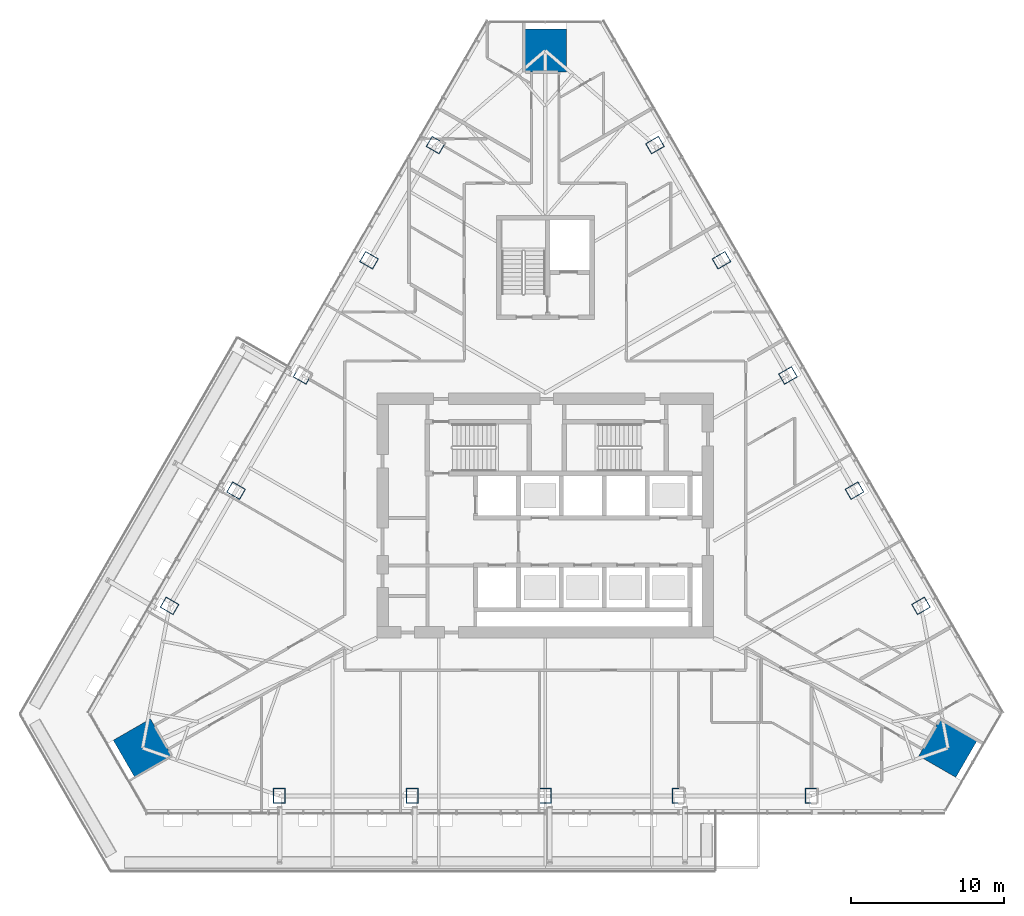
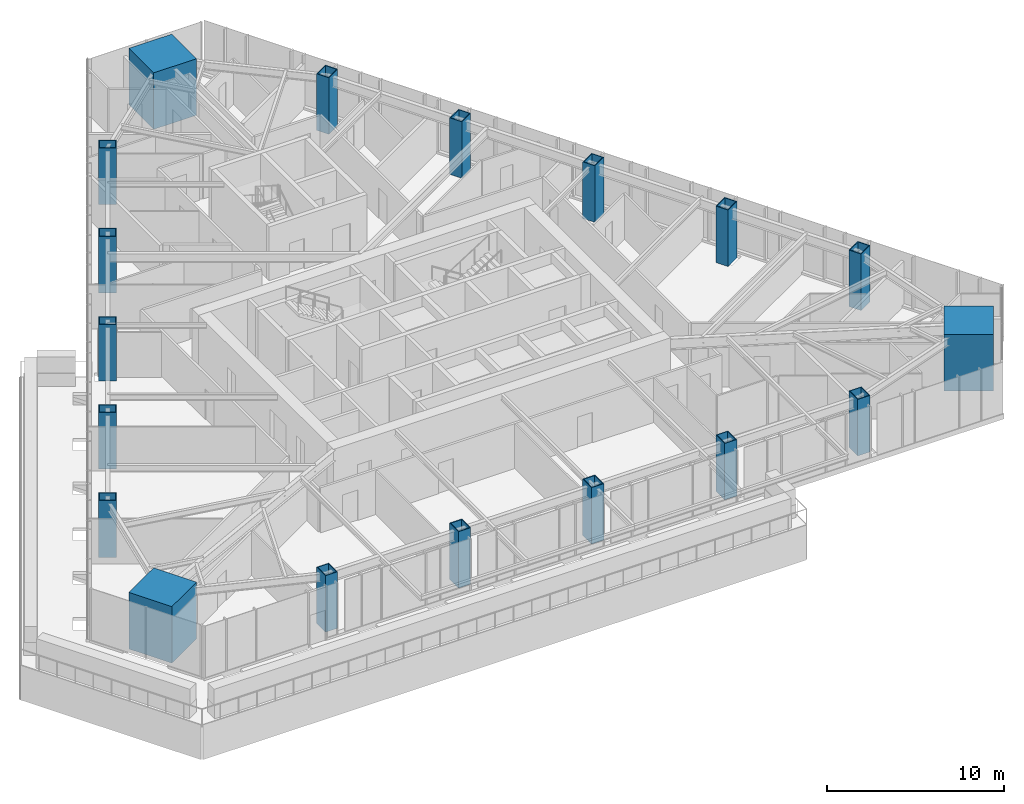
# One storey, part 1 of 23: 18 columns.
"""IFC4 building model written with IfcOpenShell, lengths in metres."""

from ifc_helpers import new_model, si_unit, direction, frame, origin, origin_2d, place, context, subcontext, project, spatial, rectangle, hollow_rectangle, extrude, material, material_profile, profile_set, type_object, element, save


model = new_model("IFC4")

# Units and contexts
model_context = context("Model", 3, precision=1e-05, world=origin(), true_north=direction((0.0, 1.0)))
body_context = subcontext(model_context, "Body", "Model", "MODEL_VIEW")
ifc_project = project(units=[si_unit("LENGTHUNIT", "METRE"), si_unit("AREAUNIT", "SQUARE_METRE"), si_unit("VOLUMEUNIT", "CUBIC_METRE"), si_unit("PLANEANGLEUNIT", "RADIAN"), si_unit("MASSUNIT", "GRAM", prefix="KILO")], contexts=[model_context])

# Site, building, storey
site_placement = place(None, origin())
site = spatial("IfcSite", under=ifc_project, at=site_placement, CompositionType="ELEMENT")
building_placement = place(site_placement, origin())
building = spatial("IfcBuilding", under=site, at=building_placement, Name="Firuza Gate Tower and Library", CompositionType="ELEMENT")
storey_placement = place(building_placement, frame((0.0, 0.0, 190.89990234375)))
storey = spatial("IfcBuildingStorey", under=building, at=storey_placement, Name="L44", CompositionType="ELEMENT", Elevation=190.89990234375)

# Columns
ifc_material_1 = material(Name="Steel S355", Category="steel")
ifc_material_profile_1 = material_profile(ifc_material_1, hollow_rectangle(XDim=0.800048828125, YDim=1.0, WallThickness=0.050048828125, at=origin_2d()))
ifc_profile_set_1 = profile_set([ifc_material_profile_1], Name="Steel S355")
column_type_1 = type_object("IfcColumnType", Name="BU1000x800x50 Composite box column", PredefinedType="COLUMN", material=ifc_profile_set_1)
for number, where, z_axis, x_axis, name in (
    (1, (57.62841796875, 56.698974609375, -0.000244140625), (0.0, 0.0, 1.0), (1.0, 0.0, 0.0), "Column S1 L44"),
    (2, (66.314208984375, 56.698974609375, -0.000244140625), (0.0, 0.0, 1.0), (1.0, 0.0, 0.0), "Column S2 L44"),
    (3, (75.0, 56.698974609375, -0.000244140625), (0.0, 0.0, 1.0), (1.0, 0.0, 0.0), "Column S3 L44"),
    (4, (83.685791015625, 56.698974609375, -0.000244140625), (0.0, 0.0, 1.0), (1.0, 0.0, 0.0), "Column S4 L44"),
    (5, (92.37158203125, 56.698974609375, -0.000244140625), (0.0, 0.0, 1.0), (1.0, 0.0, 0.0), "Column S5 L44"),
    (6, (99.53515625, 69.1064453125, -0.000244140625), (0.0, 0.0, 1.0), (-0.5, 0.866025403784, 0.0), "Column E1 L44"),
    (7, (95.192138671875, 76.62841796875, -0.000244140625), (0.0, 0.0, 1.0), (-0.5, 0.866025403784, 0.0), "Column E2 L44"),
    (8, (90.849365234375, 84.150634765625, -0.000244140625), (0.0, 0.0, 1.0), (-0.5, 0.866025403784, 0.0), "Column E3 L44"),
    (9, (86.50634765625, 91.672607421875, -0.000244140625), (0.0, 0.0, 1.0), (-0.5, 0.866025403784, 0.0), "Column E4 L44"),
    (10, (82.16357421875, 99.19482421875, -0.000244140625), (0.0, 0.0, 1.0), (-0.5, 0.866025403784, 0.0), "Column E5 L44"),
    (11, (67.83642578125, 99.19482421875, -0.000244140625), (0.0, 0.0, 1.0), (-0.5, -0.866025403784, 0.0), "Column W1 L44"),
    (12, (63.49365234375, 91.672607421875, -0.000244140625), (0.0, 0.0, 1.0), (-0.5, -0.866025403784, 0.0), "Column W2 L44"),
    (13, (59.150634765625, 84.150634765625, -0.000244140625), (0.0, 0.0, 1.0), (-0.5, -0.866025403784, 0.0), "Column W3 L44"),
    (14, (54.807861328125, 76.62841796875, -0.000244140625), (0.0, 0.0, 1.0), (-0.5, -0.866025403784, 0.0), "Column W4 L44"),
    (15, (50.46484375, 69.1064453125, -0.000244140625), (0.0, 0.0, 1.0), (-0.5, -0.866025403784, 0.0), "Column W5 L44"),
):
    element("IfcColumn", number, at=place(storey_placement, frame(where, z_axis=z_axis, x_axis=x_axis)), inside=storey, type_object=column_type_1, Name=name, PredefinedType="COLUMN", context=body_context, shape_type="SweptSolid", body=[
        extrude(hollow_rectangle(XDim=0.800048828125, YDim=1.0, WallThickness=0.050048828125, at=origin_2d()), origin(), (0.0, 0.0, 1.0), 3.900390625),
    ])
ifc_material_2 = material(Name="Concrete C80/95", Category="concrete")
ifc_material_profile_2 = material_profile(ifc_material_2, rectangle(XDim=2.800048828125, YDim=2.800048828125, at=origin_2d()))
ifc_profile_set_2 = profile_set([ifc_material_profile_2], Name="Concrete C80/95")
column_type_2 = type_object("IfcColumnType", Name="Mega column 2800x2800 C80/95", PredefinedType="COLUMN", material=ifc_profile_set_2)
for number, where, z_axis, x_axis, name in (
    (16, (101.298583984375, 59.816650390625, 0.0), (0.0, 0.0, 1.0), (0.5, 0.866025403784, 0.0), "Mega column SE L44"),
    (17, (75.0, 105.366943359375, 0.0), (0.0, 0.0, 1.0), (-1.0, 0.0, 0.0), "Mega column N L44"),
    (18, (48.701416015625, 59.816650390625, 0.0), (0.0, 0.0, 1.0), (0.5, -0.866025403784, 0.0), "Mega column SW L44"),
):
    element("IfcColumn", number, at=place(storey_placement, frame(where, z_axis=z_axis, x_axis=x_axis)), inside=storey, type_object=column_type_2, Name=name, PredefinedType="COLUMN", context=body_context, shape_type="SweptSolid", body=[
        extrude(rectangle(XDim=2.800048828125, YDim=2.800048828125, at=origin_2d()), origin(), (0.0, 0.0, 1.0), 3.900146484375),
    ])

save(model, "model.ifc")
